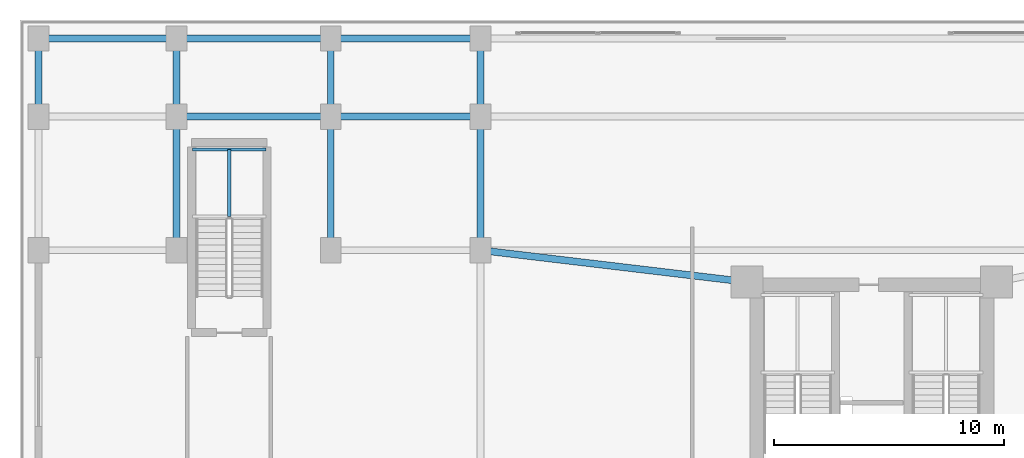
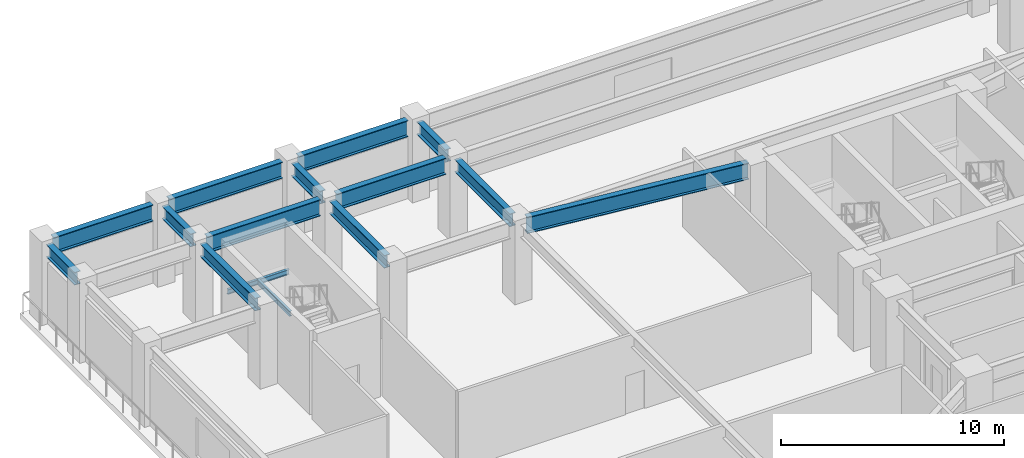
# One storey, part 2 of 12: 15 beams.
"""IFC4 building model written with IfcOpenShell, lengths in metres."""

from ifc_helpers import new_model, si_unit, direction, frame, origin, origin_2d, place, context, subcontext, project, spatial, i_section, extrude, material, material_profile, profile_set, type_object, element, save


model = new_model("IFC4")

# Units and contexts
model_context = context("Model", 3, precision=1e-05, world=origin(), true_north=direction((0.0, 1.0)))
body_context = subcontext(model_context, "Body", "Model", "MODEL_VIEW")
ifc_project = project(units=[si_unit("LENGTHUNIT", "METRE"), si_unit("AREAUNIT", "SQUARE_METRE"), si_unit("VOLUMEUNIT", "CUBIC_METRE"), si_unit("PLANEANGLEUNIT", "RADIAN"), si_unit("MASSUNIT", "GRAM", prefix="KILO")], contexts=[model_context])

# Site, building, storey
site_placement = place(None, origin())
site = spatial("IfcSite", under=ifc_project, at=site_placement, CompositionType="ELEMENT")
building_placement = place(site_placement, origin())
building = spatial("IfcBuilding", under=site, at=building_placement, Name="Varnakorn Sky Granary", CompositionType="ELEMENT")
storey_placement = place(building_placement, frame((0.0, 0.0, 4.60009765625)))
storey = spatial("IfcBuildingStorey", under=building, at=storey_placement, Name="L01", CompositionType="ELEMENT", Elevation=4.60009765625)

# Beams
ifc_material = material(Name="Steel S355JR", Category="steel")
ifc_material_profile_1 = material_profile(ifc_material, i_section(OverallWidth=0.135009765625, OverallDepth=0.27001953125, WebThickness=0.006591796875, FlangeThickness=0.01025390625, at=origin_2d()), Name="IPE 270")
ifc_profile_set_1 = profile_set([ifc_material_profile_1], Name="Steel S355JR")
beam_type_1 = type_object("IfcBeamType", Name="BM-LND-270", PredefinedType="BEAM", material=ifc_profile_set_1)
beam_1_placement = place(storey_placement, frame((-26.5, 18.3798828125, 1.96484375), z_axis=(1.0, 0.0, 0.0), x_axis=(0.0, 1.0, 0.0)))
element("IfcBeam", 1, at=beam_1_placement, inside=storey, type_object=beam_type_1, Name="Stair ST-B3 Landing Trimmer Beam B L01-1", PredefinedType="BEAM", context=body_context, shape_type="SweptSolid", body=[
    extrude(i_section(OverallWidth=0.135009765625, OverallDepth=0.27001953125, WebThickness=0.006591796875, FlangeThickness=0.01025390625, at=origin_2d()), origin(), (0.0, 0.0, 1.0), 3.179931640625),
])
beam_2_placement = place(storey_placement, frame((-24.909912109375, 15.4599609375, 1.96484375), z_axis=(0.0, 1.0, 0.0), x_axis=(-1.0, 0.0, 0.0)))
element("IfcBeam", 2, at=beam_2_placement, inside=storey, type_object=beam_type_1, Name="Stair ST-B3 Landing Cross Beam C L01-1", PredefinedType="BEAM", context=body_context, shape_type="SweptSolid", body=[
    extrude(i_section(OverallWidth=0.135009765625, OverallDepth=0.27001953125, WebThickness=0.006591796875, FlangeThickness=0.01025390625, at=origin_2d()), origin(), (0.0, 0.0, 1.0), 2.919921875),
])
ifc_material_profile_2 = material_profile(ifc_material, i_section(OverallWidth=0.300048828125, OverallDepth=0.699951171875, WebThickness=0.01708984375, FlangeThickness=0.031982421875, at=origin_2d()), Name="HE 700 B")
ifc_profile_set_2 = profile_set([ifc_material_profile_2], Name="Steel S355JR")
beam_type_2 = type_object("IfcBeamType", Name="BM-PG-700", PredefinedType="T_BEAM", material=ifc_profile_set_2)
beam_3_placement = place(storey_placement, frame((-33.199951171875, 20.219970703125, 3.929931640625), z_axis=(0.0, 1.0, 0.0), x_axis=(-1.0, 0.0, 0.0)))
element("IfcBeam", 3, at=beam_3_placement, inside=storey, type_object=beam_type_2, Name="Podium Y-Girder GY44 L01", PredefinedType="T_BEAM", context=body_context, shape_type="SweptSolid", body=[
    extrude(i_section(OverallWidth=0.300048828125, OverallDepth=0.699951171875, WebThickness=0.01708984375, FlangeThickness=0.031982421875, at=origin_2d()), origin(), (0.0, 0.0, 1.0), 2.56005859375),
])
beam_4_placement = place(storey_placement, frame((-27.199951171875, 14.419921875, 3.929931640625), z_axis=(0.0, 1.0, 0.0), x_axis=(-1.0, 0.0, 0.0)))
element("IfcBeam", 4, at=beam_4_placement, inside=storey, type_object=beam_type_2, Name="Podium Y-Girder GY46 L01", PredefinedType="T_BEAM", context=body_context, shape_type="SweptSolid", body=[
    extrude(i_section(OverallWidth=0.300048828125, OverallDepth=0.699951171875, WebThickness=0.01708984375, FlangeThickness=0.031982421875, at=origin_2d()), origin(), (0.0, 0.0, 1.0), 4.9599609375),
])
beam_5_placement = place(storey_placement, frame((-27.199951171875, 20.219970703125, 3.929931640625), z_axis=(0.0, 1.0, 0.0), x_axis=(-1.0, 0.0, 0.0)))
element("IfcBeam", 5, at=beam_5_placement, inside=storey, type_object=beam_type_2, Name="Podium Y-Girder GY47 L01", PredefinedType="T_BEAM", context=body_context, shape_type="SweptSolid", body=[
    extrude(i_section(OverallWidth=0.300048828125, OverallDepth=0.699951171875, WebThickness=0.01708984375, FlangeThickness=0.031982421875, at=origin_2d()), origin(), (0.0, 0.0, 1.0), 2.56005859375),
])
beam_6_placement = place(storey_placement, frame((-20.5, 14.419921875, 3.929931640625), z_axis=(0.0, 1.0, 0.0), x_axis=(-1.0, 0.0, 0.0)))
element("IfcBeam", 6, at=beam_6_placement, inside=storey, type_object=beam_type_2, Name="Podium Y-Girder GY49 L01", PredefinedType="T_BEAM", context=body_context, shape_type="SweptSolid", body=[
    extrude(i_section(OverallWidth=0.300048828125, OverallDepth=0.699951171875, WebThickness=0.01708984375, FlangeThickness=0.031982421875, at=origin_2d()), origin(), (0.0, 0.0, 1.0), 4.9599609375),
])
beam_7_placement = place(storey_placement, frame((-20.5, 20.219970703125, 3.929931640625), z_axis=(0.0, 1.0, 0.0), x_axis=(-1.0, 0.0, 0.0)))
element("IfcBeam", 7, at=beam_7_placement, inside=storey, type_object=beam_type_2, Name="Podium Y-Girder GY50 L01", PredefinedType="T_BEAM", context=body_context, shape_type="SweptSolid", body=[
    extrude(i_section(OverallWidth=0.300048828125, OverallDepth=0.699951171875, WebThickness=0.01708984375, FlangeThickness=0.031982421875, at=origin_2d()), origin(), (0.0, 0.0, 1.0), 2.56005859375),
])
beam_8_placement = place(storey_placement, frame((-14.0, 14.419921875, 3.929931640625), z_axis=(0.0, 1.0, 0.0), x_axis=(-1.0, 0.0, 0.0)))
element("IfcBeam", 8, at=beam_8_placement, inside=storey, type_object=beam_type_2, Name="Podium Y-Girder GY54 L01", PredefinedType="T_BEAM", context=body_context, shape_type="SweptSolid", body=[
    extrude(i_section(OverallWidth=0.300048828125, OverallDepth=0.699951171875, WebThickness=0.01708984375, FlangeThickness=0.031982421875, at=origin_2d()), origin(), (0.0, 0.0, 1.0), 4.9599609375),
])
beam_9_placement = place(storey_placement, frame((-14.0, 20.219970703125, 3.929931640625), z_axis=(0.0, 1.0, 0.0), x_axis=(-1.0, 0.0, 0.0)))
element("IfcBeam", 9, at=beam_9_placement, inside=storey, type_object=beam_type_2, Name="Podium Y-Girder GY55 L01", PredefinedType="T_BEAM", context=body_context, shape_type="SweptSolid", body=[
    extrude(i_section(OverallWidth=0.300048828125, OverallDepth=0.699951171875, WebThickness=0.01708984375, FlangeThickness=0.031982421875, at=origin_2d()), origin(), (0.0, 0.0, 1.0), 2.56005859375),
])
ifc_material_profile_3 = material_profile(ifc_material, i_section(OverallWidth=0.300048828125, OverallDepth=0.89990234375, WebThickness=0.0185546875, FlangeThickness=0.034912109375, at=origin_2d()), Name="HE 900 B")
ifc_profile_set_3 = profile_set([ifc_material_profile_3], Name="Steel S355JR")
beam_type_3 = type_object("IfcBeamType", Name="BM-PG-900", PredefinedType="BEAM", material=ifc_profile_set_3)
beam_10_placement = place(storey_placement, frame((-26.780029296875, 19.800048828125, 3.829833984375), z_axis=(1.0, 0.0, 0.0), x_axis=(0.0, 1.0, 0.0)))
element("IfcBeam", 10, at=beam_10_placement, inside=storey, type_object=beam_type_3, Name="Podium X-Girder GX27 L01", PredefinedType="BEAM", context=body_context, shape_type="SweptSolid", body=[
    extrude(i_section(OverallWidth=0.300048828125, OverallDepth=0.89990234375, WebThickness=0.0185546875, FlangeThickness=0.034912109375, at=origin_2d()), origin(), (0.0, 0.0, 1.0), 5.860107421875),
])
beam_11_placement = place(storey_placement, frame((-20.080078125, 19.800048828125, 3.829833984375), z_axis=(1.0, 0.0, 0.0), x_axis=(0.0, 1.0, 0.0)))
element("IfcBeam", 11, at=beam_11_placement, inside=storey, type_object=beam_type_3, Name="Podium X-Girder GX28 L01", PredefinedType="BEAM", context=body_context, shape_type="SweptSolid", body=[
    extrude(i_section(OverallWidth=0.300048828125, OverallDepth=0.89990234375, WebThickness=0.0185546875, FlangeThickness=0.034912109375, at=origin_2d()), origin(), (0.0, 0.0, 1.0), 5.66015625),
])
beam_12_placement = place(storey_placement, frame((-32.780029296875, 23.199951171875, 3.829833984375), z_axis=(1.0, 0.0, 0.0), x_axis=(0.0, 1.0, 0.0)))
element("IfcBeam", 12, at=beam_12_placement, inside=storey, type_object=beam_type_3, Name="Podium X-Girder GX33 L01", PredefinedType="BEAM", context=body_context, shape_type="SweptSolid", body=[
    extrude(i_section(OverallWidth=0.300048828125, OverallDepth=0.89990234375, WebThickness=0.0185546875, FlangeThickness=0.034912109375, at=origin_2d()), origin(), (0.0, 0.0, 1.0), 5.159912109375),
])
beam_13_placement = place(storey_placement, frame((-26.780029296875, 23.199951171875, 3.829833984375), z_axis=(1.0, 0.0, 0.0), x_axis=(0.0, 1.0, 0.0)))
element("IfcBeam", 13, at=beam_13_placement, inside=storey, type_object=beam_type_3, Name="Podium X-Girder GX34 L01", PredefinedType="BEAM", context=body_context, shape_type="SweptSolid", body=[
    extrude(i_section(OverallWidth=0.300048828125, OverallDepth=0.89990234375, WebThickness=0.0185546875, FlangeThickness=0.034912109375, at=origin_2d()), origin(), (0.0, 0.0, 1.0), 5.860107421875),
])
beam_14_placement = place(storey_placement, frame((-20.080078125, 23.199951171875, 3.829833984375), z_axis=(1.0, 0.0, 0.0), x_axis=(0.0, 1.0, 0.0)))
element("IfcBeam", 14, at=beam_14_placement, inside=storey, type_object=beam_type_3, Name="Podium X-Girder GX35 L01", PredefinedType="BEAM", context=body_context, shape_type="SweptSolid", body=[
    extrude(i_section(OverallWidth=0.300048828125, OverallDepth=0.89990234375, WebThickness=0.0185546875, FlangeThickness=0.034912109375, at=origin_2d()), origin(), (0.0, 0.0, 1.0), 5.66015625),
])
beam_15_placement = place(storey_placement, frame((-13.5830078125, 13.9501953125, 3.829833984375), z_axis=(0.992975027395, -0.118324109839, 0.0), x_axis=(0.118324109839, 0.992975027395, 0.0)))
element("IfcBeam", 15, at=beam_15_placement, inside=storey, type_object=beam_type_3, Name="Podium Core Tie Girder 1 L01", PredefinedType="BEAM", context=body_context, shape_type="SweptSolid", body=[
    extrude(i_section(OverallWidth=0.300048828125, OverallDepth=0.89990234375, WebThickness=0.0185546875, FlangeThickness=0.034912109375, at=origin_2d()), origin(), (0.0, 0.0, 1.0), 10.822021484375),
])

save(model, "model.ifc")
